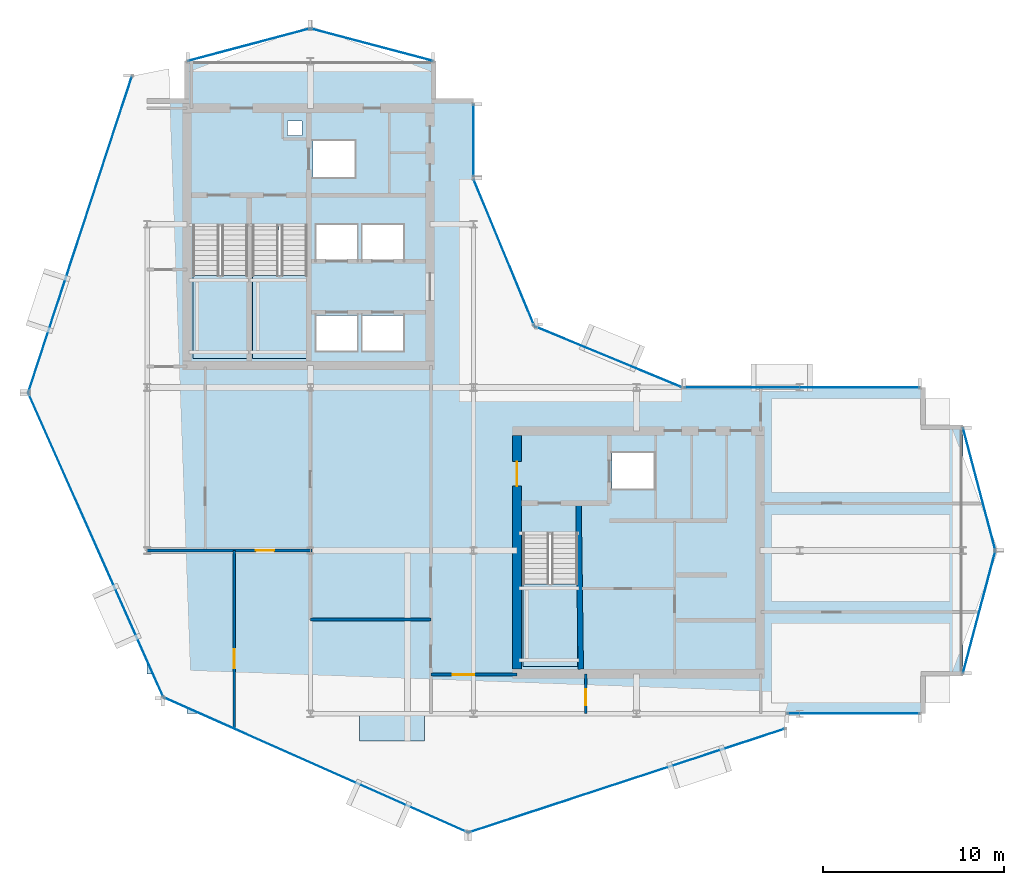
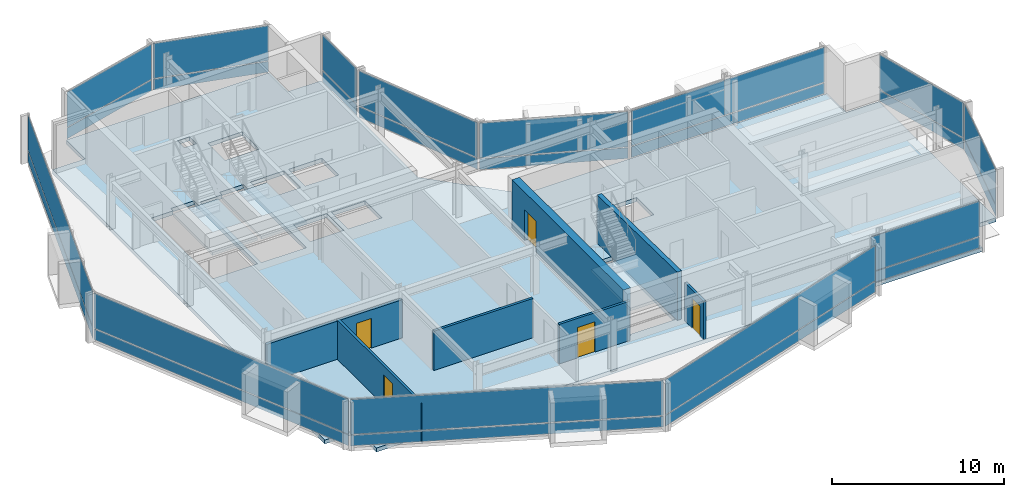
# One storey, part 19 of 28: 26 plates, 7 walls, 5 doors, 5 slabs, 5 openings, 16 elements without a shape of their own.
"""IFC4 building model written with IfcOpenShell, lengths in metres."""

from ifc_helpers import new_model, si_unit, direction, frame, frame_2d, origin, origin_2d, place, context, subcontext, project, spatial, polyline, rectangle, outline, extrude, material, layer, layer_set, type_object, element, fill, aggregate, save


model = new_model("IFC4")

# Units and contexts
model_context = context("Model", 3, precision=1e-05, world=origin(), true_north=direction((0.0, 1.0)))
body_context = subcontext(model_context, "Body", "Model", "MODEL_VIEW")
ifc_project = project(units=[si_unit("LENGTHUNIT", "METRE"), si_unit("AREAUNIT", "SQUARE_METRE"), si_unit("VOLUMEUNIT", "CUBIC_METRE"), si_unit("PLANEANGLEUNIT", "RADIAN"), si_unit("MASSUNIT", "GRAM", prefix="KILO")], contexts=[model_context])

# Site, building, storey
site_placement = place(None, origin())
site = spatial("IfcSite", under=ifc_project, at=site_placement, CompositionType="ELEMENT")
building_placement = place(site_placement, origin())
building = spatial("IfcBuilding", under=site, at=building_placement, Name="Solvaryn Broadcast Tower", CompositionType="ELEMENT")
storey_placement = place(building_placement, frame((0.0, 0.0, 206.199951171875)))
storey = spatial("IfcBuildingStorey", under=building, at=storey_placement, Name="L51", CompositionType="ELEMENT", Elevation=206.199951171875)

# Curtain wall, plates
ifc_material_1 = material(Name="Aluminium and Terracotta Unitised Curtain Wall", Category="masonry")
ifc_layer_1 = layer(ifc_material_1, 0.199951171875)
ifc_layer_set_1 = layer_set([ifc_layer_1], Name="CW-SYS2-LOWMID")
curtain_wall_type = type_object("IfcCurtainWallType", Name="CW-SYS2-LOWMID", PredefinedType="NOTDEFINED", material=ifc_layer_set_1)
curtain_wall_1_placement = place(storey_placement, origin())
curtain_wall_1 = element("IfcCurtainWall", 1, at=curtain_wall_1_placement, inside=storey, type_object=curtain_wall_type, Name="L51 Curtain Wall DR1", PredefinedType="NOTDEFINED")
ifc_material_2 = material(Name="Low-Iron Insulated Vision Glass", Category="glass")
ifc_layer_2 = layer(ifc_material_2, 0.035888671875)
ifc_layer_set_2 = layer_set([ifc_layer_2], Name="CW-PNL-VISION")
plate_type = type_object("IfcPlateType", Name="CW-PNL-VISION", PredefinedType="CURTAIN_PANEL", material=ifc_layer_set_2)
plate_1_placement = place(storey_placement, frame((5.298095703125, 35.444091796875, 0.06005859375), z_axis=(0.0, 0.0, 1.0), x_axis=(-0.311558717623, -0.950226902099, 0.0)))
plate_1 = element("IfcPlate", 2, at=plate_1_placement, type_object=plate_type, Name="CWS2 panel 1.1", PredefinedType="CURTAIN_PANEL", context=body_context, shape_type="SweptSolid", body=[
    extrude(rectangle(XDim=18.271484375, YDim=0.028076171875, at=origin_2d()), origin(), (0.0, 0.0, 1.0), 0.760009765625),
])
plate_2_placement = place(storey_placement, frame((5.298095703125, 35.444091796875, 0.880126953125), z_axis=(0.0, 0.0, 1.0), x_axis=(-0.311558717623, -0.950226902099, 0.0)))
plate_2 = element("IfcPlate", 3, at=plate_2_placement, type_object=plate_type, Name="CWS2 panel 1.2", PredefinedType="CURTAIN_PANEL", context=body_context, shape_type="SweptSolid", body=[
    extrude(rectangle(XDim=18.271484375, YDim=0.028076171875, at=origin_2d()), origin(), (0.0, 0.0, 1.0), 2.47998046875),
])
aggregate(curtain_wall_1, [plate_1, plate_2])

curtain_wall_2_placement = place(storey_placement, origin())
curtain_wall_2 = element("IfcCurtainWall", 4, at=curtain_wall_2_placement, inside=storey, type_object=curtain_wall_type, Name="L51 Curtain Wall DR2", PredefinedType="NOTDEFINED")
plate_3_placement = place(storey_placement, frame((6.16552734375, 18.302001953125, 0.06005859375), z_axis=(0.0, 0.0, 1.0), x_axis=(0.405901337237, -0.913916902365, 0.0)))
plate_3 = element("IfcPlate", 5, at=plate_3_placement, type_object=plate_type, Name="CWS2 panel 1.1", PredefinedType="CURTAIN_PANEL", context=body_context, shape_type="SweptSolid", body=[
    extrude(rectangle(XDim=18.271240234375, YDim=0.028076171875, at=origin_2d()), origin(), (0.0, 0.0, 1.0), 0.760009765625),
])
plate_4_placement = place(storey_placement, frame((6.16552734375, 18.302001953125, 0.880126953125), z_axis=(0.0, 0.0, 1.0), x_axis=(0.405901337237, -0.913916902365, 0.0)))
plate_4 = element("IfcPlate", 6, at=plate_4_placement, type_object=plate_type, Name="CWS2 panel 1.2", PredefinedType="CURTAIN_PANEL", context=body_context, shape_type="SweptSolid", body=[
    extrude(rectangle(XDim=18.271240234375, YDim=0.028076171875, at=origin_2d()), origin(), (0.0, 0.0, 1.0), 2.47998046875),
])
aggregate(curtain_wall_2, [plate_3, plate_4])

curtain_wall_3_placement = place(storey_placement, origin())
curtain_wall_3 = element("IfcCurtainWall", 7, at=curtain_wall_3_placement, inside=storey, type_object=curtain_wall_type, Name="L51 Curtain Wall DR3", PredefinedType="NOTDEFINED")
plate_5_placement = place(storey_placement, frame((18.302001953125, 6.16552734375, 0.06005859375), z_axis=(0.0, 0.0, 1.0), x_axis=(0.913916902365, -0.405901337237, 0.0)))
plate_5 = element("IfcPlate", 8, at=plate_5_placement, type_object=plate_type, Name="CWS2 panel 1.1", PredefinedType="CURTAIN_PANEL", context=body_context, shape_type="SweptSolid", body=[
    extrude(rectangle(XDim=18.271240234375, YDim=0.028076171875, at=origin_2d()), origin(), (0.0, 0.0, 1.0), 0.760009765625),
])
plate_6_placement = place(storey_placement, frame((18.302001953125, 6.16552734375, 0.880126953125), z_axis=(0.0, 0.0, 1.0), x_axis=(0.913916902365, -0.405901337237, 0.0)))
plate_6 = element("IfcPlate", 9, at=plate_6_placement, type_object=plate_type, Name="CWS2 panel 1.2", PredefinedType="CURTAIN_PANEL", context=body_context, shape_type="SweptSolid", body=[
    extrude(rectangle(XDim=18.271240234375, YDim=0.028076171875, at=origin_2d()), origin(), (0.0, 0.0, 1.0), 2.47998046875),
])
aggregate(curtain_wall_3, [plate_5, plate_6])

curtain_wall_4_placement = place(storey_placement, origin())
curtain_wall_4 = element("IfcCurtainWall", 10, at=curtain_wall_4_placement, inside=storey, type_object=curtain_wall_type, Name="L51 Curtain Wall DR4", PredefinedType="NOTDEFINED")
plate_7_placement = place(storey_placement, frame((35.444091796875, 5.298095703125, 0.06005859375), z_axis=(0.0, 0.0, 1.0), x_axis=(0.950226902099, 0.311558717623, 0.0)))
plate_7 = element("IfcPlate", 11, at=plate_7_placement, type_object=plate_type, Name="CWS2 panel 1.1", PredefinedType="CURTAIN_PANEL", context=body_context, shape_type="SweptSolid", body=[
    extrude(rectangle(XDim=18.271484375, YDim=0.028076171875, at=origin_2d()), origin(), (0.0, 0.0, 1.0), 0.760009765625),
])
plate_8_placement = place(storey_placement, frame((35.444091796875, 5.298095703125, 0.880126953125), z_axis=(0.0, 0.0, 1.0), x_axis=(0.950226902099, 0.311558717623, 0.0)))
plate_8 = element("IfcPlate", 12, at=plate_8_placement, type_object=plate_type, Name="CWS2 panel 1.2", PredefinedType="CURTAIN_PANEL", context=body_context, shape_type="SweptSolid", body=[
    extrude(rectangle(XDim=18.271484375, YDim=0.028076171875, at=origin_2d()), origin(), (0.0, 0.0, 1.0), 2.47998046875),
])
aggregate(curtain_wall_4, [plate_7, plate_8])

curtain_wall_5_placement = place(storey_placement, origin())
curtain_wall_5 = element("IfcCurtainWall", 13, at=curtain_wall_5_placement, inside=storey, type_object=curtain_wall_type, Name="L51 Curtain Wall IV", PredefinedType="NOTDEFINED")
plate_9_placement = place(storey_placement, frame((27.0, 40.625, 0.06005859375), z_axis=(0.0, 0.0, 1.0), x_axis=(0.0, -1.0, 0.0)))
plate_9 = element("IfcPlate", 14, at=plate_9_placement, type_object=plate_type, Name="CWS2 panel 1.1", PredefinedType="CURTAIN_PANEL", context=body_context, shape_type="SweptSolid", body=[
    extrude(rectangle(XDim=3.929931640625, YDim=0.028076171875, at=origin_2d()), origin(), (0.0, 0.0, 1.0), 0.760009765625),
])
plate_10_placement = place(storey_placement, frame((27.0, 40.625, 0.880126953125), z_axis=(0.0, 0.0, 1.0), x_axis=(0.0, -1.0, 0.0)))
plate_10 = element("IfcPlate", 15, at=plate_10_placement, type_object=plate_type, Name="CWS2 panel 1.2", PredefinedType="CURTAIN_PANEL", context=body_context, shape_type="SweptSolid", body=[
    extrude(rectangle(XDim=3.929931640625, YDim=0.028076171875, at=origin_2d()), origin(), (0.0, 0.0, 1.0), 2.47998046875),
])
aggregate(curtain_wall_5, [plate_9, plate_10])

curtain_wall_6_placement = place(storey_placement, origin())
curtain_wall_6 = element("IfcCurtainWall", 16, at=curtain_wall_6_placement, inside=storey, type_object=curtain_wall_type, Name="L51 Curtain Wall CN1", PredefinedType="NOTDEFINED")
plate_11_placement = place(storey_placement, frame((34.43408203125, 28.68408203125, 0.06005859375), z_axis=(0.0, 0.0, 1.0), x_axis=(-0.923894983957, 0.382646127145, 0.0)))
plate_11 = element("IfcPlate", 17, at=plate_11_placement, type_object=plate_type, Name="CWS2 panel 1.1", PredefinedType="CURTAIN_PANEL", context=body_context, shape_type="SweptSolid", body=[
    extrude(rectangle(XDim=8.681884765625, YDim=0.028076171875, at=origin_2d()), origin(), (0.0, 0.0, 1.0), 0.760009765625),
])
plate_12_placement = place(storey_placement, frame((34.43408203125, 28.68408203125, 0.880126953125), z_axis=(0.0, 0.0, 1.0), x_axis=(-0.923894983957, 0.382646127145, 0.0)))
plate_12 = element("IfcPlate", 18, at=plate_12_placement, type_object=plate_type, Name="CWS2 panel 1.2", PredefinedType="CURTAIN_PANEL", context=body_context, shape_type="SweptSolid", body=[
    extrude(rectangle(XDim=8.681884765625, YDim=0.028076171875, at=origin_2d()), origin(), (0.0, 0.0, 1.0), 2.47998046875),
])
aggregate(curtain_wall_6, [plate_11, plate_12])

curtain_wall_7_placement = place(storey_placement, origin())
curtain_wall_7 = element("IfcCurtainWall", 19, at=curtain_wall_7_placement, inside=storey, type_object=curtain_wall_type, Name="L51 Curtain Wall CN2", PredefinedType="NOTDEFINED")
plate_13_placement = place(storey_placement, frame((28.68408203125, 34.43408203125, 0.06005859375), z_axis=(0.0, 0.0, 1.0), x_axis=(-0.382646127145, 0.923894983957, 0.0)))
plate_13 = element("IfcPlate", 20, at=plate_13_placement, type_object=plate_type, Name="CWS2 panel 1.1", PredefinedType="CURTAIN_PANEL", context=body_context, shape_type="SweptSolid", body=[
    extrude(rectangle(XDim=8.681884765625, YDim=0.028076171875, at=origin_2d()), origin(), (0.0, 0.0, 1.0), 0.760009765625),
])
plate_14_placement = place(storey_placement, frame((28.68408203125, 34.43408203125, 0.880126953125), z_axis=(0.0, 0.0, 1.0), x_axis=(-0.382646127145, 0.923894983957, 0.0)))
plate_14 = element("IfcPlate", 21, at=plate_14_placement, type_object=plate_type, Name="CWS2 panel 1.2", PredefinedType="CURTAIN_PANEL", context=body_context, shape_type="SweptSolid", body=[
    extrude(rectangle(XDim=8.681884765625, YDim=0.028076171875, at=origin_2d()), origin(), (0.0, 0.0, 1.0), 2.47998046875),
])
aggregate(curtain_wall_7, [plate_13, plate_14])

curtain_wall_8_placement = place(storey_placement, origin())
curtain_wall_8 = element("IfcCurtainWall", 22, at=curtain_wall_8_placement, inside=storey, type_object=curtain_wall_type, Name="L51 Curtain Wall S2", PredefinedType="NOTDEFINED")
plate_15_placement = place(storey_placement, frame((47.966064453125, 9.0, 0.06005859375), z_axis=(0.0, 0.0, 1.0), x_axis=(1.0, 0.0, 0.0)))
plate_15 = element("IfcPlate", 23, at=plate_15_placement, type_object=plate_type, Name="CWS2 panel 1.1", PredefinedType="CURTAIN_PANEL", context=body_context, shape_type="SweptSolid", body=[
    extrude(rectangle(XDim=7.248046875, YDim=0.028076171875, at=origin_2d()), origin(), (0.0, 0.0, 1.0), 0.760009765625),
])
plate_16_placement = place(storey_placement, frame((47.966064453125, 9.0, 0.880126953125), z_axis=(0.0, 0.0, 1.0), x_axis=(1.0, 0.0, 0.0)))
plate_16 = element("IfcPlate", 24, at=plate_16_placement, type_object=plate_type, Name="CWS2 panel 1.2", PredefinedType="CURTAIN_PANEL", context=body_context, shape_type="SweptSolid", body=[
    extrude(rectangle(XDim=7.248046875, YDim=0.028076171875, at=origin_2d()), origin(), (0.0, 0.0, 1.0), 2.47998046875),
])
aggregate(curtain_wall_8, [plate_15, plate_16])

curtain_wall_9_placement = place(storey_placement, origin())
curtain_wall_9 = element("IfcCurtainWall", 25, at=curtain_wall_9_placement, inside=storey, type_object=curtain_wall_type, Name="L51 Curtain Wall NT1", PredefinedType="NOTDEFINED")
plate_17_placement = place(storey_placement, frame((21.39990234375, 45.89990234375, 0.06005859375), z_axis=(0.0, 0.0, 1.0), x_axis=(-0.966705227863, 0.25589256031, 0.0)))
plate_17 = element("IfcPlate", 26, at=plate_17_placement, type_object=plate_type, Name="CWS2 panel 1.1", PredefinedType="CURTAIN_PANEL", context=body_context, shape_type="SweptSolid", body=[
    extrude(rectangle(XDim=6.914306640625, YDim=0.028076171875, at=origin_2d()), origin(), (0.0, 0.0, 1.0), 0.760009765625),
])
plate_18_placement = place(storey_placement, frame((21.39990234375, 45.89990234375, 0.880126953125), z_axis=(0.0, 0.0, 1.0), x_axis=(-0.966705227863, 0.25589256031, 0.0)))
plate_18 = element("IfcPlate", 27, at=plate_18_placement, type_object=plate_type, Name="CWS2 panel 1.2", PredefinedType="CURTAIN_PANEL", context=body_context, shape_type="SweptSolid", body=[
    extrude(rectangle(XDim=6.914306640625, YDim=0.028076171875, at=origin_2d()), origin(), (0.0, 0.0, 1.0), 2.47998046875),
])
aggregate(curtain_wall_9, [plate_17, plate_18])

curtain_wall_10_placement = place(storey_placement, origin())
curtain_wall_10 = element("IfcCurtainWall", 28, at=curtain_wall_10_placement, inside=storey, type_object=curtain_wall_type, Name="L51 Curtain Wall NT2", PredefinedType="NOTDEFINED")
plate_19_placement = place(storey_placement, frame((14.60009765625, 45.89990234375, 0.06005859375), z_axis=(0.0, 0.0, 1.0), x_axis=(-0.966705227863, -0.25589256031, 0.0)))
plate_19 = element("IfcPlate", 29, at=plate_19_placement, type_object=plate_type, Name="CWS2 panel 1.1", PredefinedType="CURTAIN_PANEL", context=body_context, shape_type="SweptSolid", body=[
    extrude(rectangle(XDim=6.914306640625, YDim=0.028076171875, at=origin_2d()), origin(), (0.0, 0.0, 1.0), 0.760009765625),
])
plate_20_placement = place(storey_placement, frame((14.60009765625, 45.89990234375, 0.880126953125), z_axis=(0.0, 0.0, 1.0), x_axis=(-0.966705227863, -0.25589256031, 0.0)))
plate_20 = element("IfcPlate", 30, at=plate_20_placement, type_object=plate_type, Name="CWS2 panel 1.2", PredefinedType="CURTAIN_PANEL", context=body_context, shape_type="SweptSolid", body=[
    extrude(rectangle(XDim=6.914306640625, YDim=0.028076171875, at=origin_2d()), origin(), (0.0, 0.0, 1.0), 2.47998046875),
])
aggregate(curtain_wall_10, [plate_19, plate_20])

curtain_wall_11_placement = place(storey_placement, origin())
curtain_wall_11 = element("IfcCurtainWall", 31, at=curtain_wall_11_placement, inside=storey, type_object=curtain_wall_type, Name="L51 Curtain Wall ET1", PredefinedType="NOTDEFINED")
plate_21_placement = place(storey_placement, frame((54.89990234375, 21.39990234375, 0.06005859375), z_axis=(0.0, 0.0, 1.0), x_axis=(0.25589256031, -0.966705227863, 0.0)))
plate_21 = element("IfcPlate", 32, at=plate_21_placement, type_object=plate_type, Name="CWS2 panel 1.1", PredefinedType="CURTAIN_PANEL", context=body_context, shape_type="SweptSolid", body=[
    extrude(rectangle(XDim=6.914306640625, YDim=0.028076171875, at=origin_2d()), origin(), (0.0, 0.0, 1.0), 0.760009765625),
])
plate_22_placement = place(storey_placement, frame((54.89990234375, 21.39990234375, 0.880126953125), z_axis=(0.0, 0.0, 1.0), x_axis=(0.25589256031, -0.966705227863, 0.0)))
plate_22 = element("IfcPlate", 33, at=plate_22_placement, type_object=plate_type, Name="CWS2 panel 1.2", PredefinedType="CURTAIN_PANEL", context=body_context, shape_type="SweptSolid", body=[
    extrude(rectangle(XDim=6.914306640625, YDim=0.028076171875, at=origin_2d()), origin(), (0.0, 0.0, 1.0), 2.47998046875),
])
aggregate(curtain_wall_11, [plate_21, plate_22])

curtain_wall_12_placement = place(storey_placement, origin())
curtain_wall_12 = element("IfcCurtainWall", 34, at=curtain_wall_12_placement, inside=storey, type_object=curtain_wall_type, Name="L51 Curtain Wall ET2", PredefinedType="NOTDEFINED")
plate_23_placement = place(storey_placement, frame((54.89990234375, 14.60009765625, 0.06005859375), z_axis=(0.0, 0.0, 1.0), x_axis=(-0.25589256031, -0.966705227863, 0.0)))
plate_23 = element("IfcPlate", 35, at=plate_23_placement, type_object=plate_type, Name="CWS2 panel 1.1", PredefinedType="CURTAIN_PANEL", context=body_context, shape_type="SweptSolid", body=[
    extrude(rectangle(XDim=6.914306640625, YDim=0.028076171875, at=origin_2d()), origin(), (0.0, 0.0, 1.0), 0.760009765625),
])
plate_24_placement = place(storey_placement, frame((54.89990234375, 14.60009765625, 0.880126953125), z_axis=(0.0, 0.0, 1.0), x_axis=(-0.25589256031, -0.966705227863, 0.0)))
plate_24 = element("IfcPlate", 36, at=plate_24_placement, type_object=plate_type, Name="CWS2 panel 1.2", PredefinedType="CURTAIN_PANEL", context=body_context, shape_type="SweptSolid", body=[
    extrude(rectangle(XDim=6.914306640625, YDim=0.028076171875, at=origin_2d()), origin(), (0.0, 0.0, 1.0), 2.47998046875),
])
aggregate(curtain_wall_12, [plate_23, plate_24])

curtain_wall_13_placement = place(storey_placement, origin())
curtain_wall_13 = element("IfcCurtainWall", 37, at=curtain_wall_13_placement, inside=storey, type_object=curtain_wall_type, Name="L51 Curtain Wall IH", PredefinedType="NOTDEFINED")
plate_25_placement = place(storey_placement, frame((45.125, 27.0, 0.06005859375), z_axis=(0.0, 0.0, 1.0), x_axis=(1.0, 0.0, 0.0)))
plate_25 = element("IfcPlate", 38, at=plate_25_placement, type_object=plate_type, Name="CWS2 panel 1.1", PredefinedType="CURTAIN_PANEL", context=body_context, shape_type="SweptSolid", body=[
    extrude(rectangle(XDim=12.929931640625, YDim=0.028076171875, at=origin_2d()), origin(), (0.0, 0.0, 1.0), 0.760009765625),
])
plate_26_placement = place(storey_placement, frame((45.125, 27.0, 0.880126953125), z_axis=(0.0, 0.0, 1.0), x_axis=(1.0, 0.0, 0.0)))
plate_26 = element("IfcPlate", 39, at=plate_26_placement, type_object=plate_type, Name="CWS2 panel 1.2", PredefinedType="CURTAIN_PANEL", context=body_context, shape_type="SweptSolid", body=[
    extrude(rectangle(XDim=12.929931640625, YDim=0.028076171875, at=origin_2d()), origin(), (0.0, 0.0, 1.0), 2.47998046875),
])
aggregate(curtain_wall_13, [plate_25, plate_26])

# Slab
ifc_material_3 = material(Name="Concrete f'c 60 MPa", Category="concrete")
ifc_layer_3 = layer(ifc_material_3, 0.2099609375)
ifc_layer_set_3 = layer_set([ifc_layer_3], Name="SL-BAYBOX-210")
slab_type_1 = type_object("IfcSlabType", Name="SL-BAYBOX-210", PredefinedType="FLOOR", material=ifc_layer_set_3)
slab_1_placement = place(storey_placement, frame((0.0, 0.0, -0.2099609375)))
element("IfcSlab", 40, at=slab_1_placement, inside=storey, type_object=slab_type_1, Name="L51 Projecting Bay-Box Slab 1", PredefinedType="FLOOR", context=body_context, shape_type="SweptSolid", body=[
    extrude(outline(polyline([(20.699951171875, 7.5), (24.300048828125, 7.5), (24.300048828125, 9.0), (20.699951171875, 9.0), (20.699951171875, 7.5)])), origin(), (0.0, 0.0, 1.0), 0.2099609375),
])

# Stair, slab
ifc_material_4 = material(Name="Concrete f'c 60 MPa", Category="concrete")
stair_type = type_object("IfcStairType", Name="ST-CORE", PredefinedType="HALF_TURN_STAIR", material=ifc_material_4)
stair_1_placement = place(storey_placement, origin())
stair_1 = element("IfcStair", 41, at=stair_1_placement, inside=storey, type_object=stair_type, Name="L51 ST1", PredefinedType="HALF_TURN_STAIR")
ifc_material_5 = material(Name="Concrete f'c 60 MPa", Category="concrete")
ifc_layer_4 = layer(ifc_material_5, 0.199951171875)
ifc_layer_set_4 = layer_set([ifc_layer_4], Name="SL-LANDING-200")
slab_type_2 = type_object("IfcSlabType", Name="SL-LANDING-200", PredefinedType="LANDING", material=ifc_layer_set_4)
slab_2_placement = place(storey_placement, frame((0.0, 0.0, 1.650146484375)))
slab_2 = element("IfcSlab", 42, at=slab_2_placement, type_object=slab_type_2, Name="ST1 landing 1", PredefinedType="LANDING", context=body_context, shape_type="SweptSolid", body=[
    extrude(outline(polyline([(11.52001953125, 33.159912109375), (11.52001953125, 28.60009765625), (14.550048828125, 28.60009765625), (14.550048828125, 33.159912109375), (11.52001953125, 33.159912109375)])), origin(), (0.0, 0.0, 1.0), 0.199951171875),
])
aggregate(stair_1, [slab_2])

stair_2_placement = place(storey_placement, origin())
stair_2 = element("IfcStair", 43, at=stair_2_placement, inside=storey, type_object=stair_type, Name="L51 ST2", PredefinedType="HALF_TURN_STAIR")
slab_3_placement = place(storey_placement, frame((0.0, 0.0, 1.650146484375)))
slab_3 = element("IfcSlab", 44, at=slab_3_placement, type_object=slab_type_2, Name="ST2 landing 1", PredefinedType="LANDING", context=body_context, shape_type="SweptSolid", body=[
    extrude(outline(polyline([(14.800048828125, 33.159912109375), (14.800048828125, 28.60009765625), (17.830078125, 28.60009765625), (17.830078125, 33.159912109375), (14.800048828125, 33.159912109375)])), origin(), (0.0, 0.0, 1.0), 0.199951171875),
])
aggregate(stair_2, [slab_3])

stair_3_placement = place(storey_placement, origin())
stair_3 = element("IfcStair", 45, at=stair_3_placement, inside=storey, type_object=stair_type, Name="L51 ST3", PredefinedType="HALF_TURN_STAIR")
slab_4_placement = place(storey_placement, frame((0.0, 0.0, 1.650146484375)))
slab_4 = element("IfcSlab", 46, at=slab_4_placement, type_object=slab_type_2, Name="ST3 landing 1", PredefinedType="LANDING", context=body_context, shape_type="SweptSolid", body=[
    extrude(outline(polyline([(29.719970703125, 16.159912109375), (29.719970703125, 11.60009765625), (32.75, 11.60009765625), (32.75, 16.159912109375), (29.719970703125, 16.159912109375)])), origin(), (0.0, 0.0, 1.0), 0.199951171875),
])
aggregate(stair_3, [slab_4])

# Slab
ifc_material_6 = material(Name="Concrete f'c 60 MPa", Category="concrete")
ifc_layer_5 = layer(ifc_material_6, 0.280029296875)
ifc_layer_set_5 = layer_set([ifc_layer_5], Name="SL-TWR-280")
slab_type_3 = type_object("IfcSlabType", Name="SL-TWR-280", PredefinedType="FLOOR", material=ifc_layer_set_5)
slab_5_placement = place(storey_placement, frame((0.0, 0.0, -0.280029296875)))
element("IfcSlab", 47, at=slab_5_placement, inside=storey, type_object=slab_type_3, Name="L51 Structural Floor Slab", PredefinedType="FLOOR", context=body_context, shape_type="SweptSolid", body=[
    extrude(outline(polyline([(11.199951171875, 9.0), (51.800048828125, 9.0), (51.800048828125, 11.199951171875), (54.0, 11.199951171875), (54.0, 24.800048828125), (51.800048828125, 24.800048828125), (51.800048828125, 27.0), (31.5, 27.0), (27.0, 31.5), (27.0, 42.800048828125), (24.800048828125, 42.800048828125), (24.800048828125, 45.0), (11.199951171875, 45.0), (11.199951171875, 42.800048828125), (9.0, 42.800048828125), (9.0, 11.199951171875), (11.199951171875, 11.199951171875), (11.199951171875, 9.0)]), holes=[polyline([(11.52001953125, 28.60009765625), (14.550048828125, 28.60009765625), (14.550048828125, 35.9599609375), (12.97998046875, 35.9599609375), (12.97998046875, 35.679931640625), (11.52001953125, 35.679931640625), (11.52001953125, 28.60009765625)]), polyline([(14.800048828125, 28.60009765625), (17.830078125, 28.60009765625), (17.830078125, 35.9599609375), (16.260009765625, 35.9599609375), (16.260009765625, 35.679931640625), (14.800048828125, 35.679931640625), (14.800048828125, 28.60009765625)]), polyline([(29.719970703125, 11.60009765625), (32.75, 11.60009765625), (32.75, 18.9599609375), (31.179931640625, 18.9599609375), (31.179931640625, 18.679931640625), (29.719970703125, 18.679931640625), (29.719970703125, 11.60009765625)]), polyline([(18.14990234375, 38.60009765625), (20.449951171875, 38.60009765625), (20.449951171875, 40.60009765625), (18.14990234375, 40.60009765625), (18.14990234375, 38.60009765625)]), polyline([(18.324951171875, 29.02490234375), (20.574951171875, 29.02490234375), (20.574951171875, 30.97509765625), (18.324951171875, 30.97509765625), (18.324951171875, 29.02490234375)]), polyline([(20.875, 29.02490234375), (23.125, 29.02490234375), (23.125, 30.97509765625), (20.875, 30.97509765625), (20.875, 29.02490234375)]), polyline([(18.324951171875, 34.02490234375), (20.574951171875, 34.02490234375), (20.574951171875, 35.97509765625), (18.324951171875, 35.97509765625), (18.324951171875, 34.02490234375)]), polyline([(20.875, 34.02490234375), (23.125, 34.02490234375), (23.125, 35.97509765625), (20.875, 35.97509765625), (20.875, 34.02490234375)]), polyline([(34.64990234375, 21.39990234375), (36.949951171875, 21.39990234375), (36.949951171875, 23.39990234375), (34.64990234375, 23.39990234375), (34.64990234375, 21.39990234375)]), polyline([(16.75, 40.89990234375), (17.550048828125, 40.89990234375), (17.550048828125, 41.699951171875), (16.75, 41.699951171875), (16.75, 40.89990234375)])]), origin(), (0.0, 0.0, 1.0), 0.280029296875),
])

# Wall, opening, door
ifc_material_7 = material(Name="Concrete f'c 70 MPa", Category="concrete")
ifc_layer_6 = layer(ifc_material_7, 0.5)
ifc_layer_set_6 = layer_set([ifc_layer_6], Name="CW-SHEAR-500")
wall_type_1 = type_object("IfcWallType", Name="CW-SHEAR-500", PredefinedType="SHEAR", material=ifc_layer_set_6)
wall_1_placement = place(storey_placement, frame((29.39990234375, 24.35009765625, 0.0), z_axis=(0.0, 0.0, 1.0), x_axis=(0.0, -1.0, 0.0)))
wall_1 = element("IfcWall", 48, at=wall_1_placement, inside=storey, type_object=wall_type_1, Name="L51 East Core West Shear Wall", PredefinedType="SHEAR", context=body_context, shape_type="SweptSolid", body=[
    extrude(rectangle(XDim=12.900146484375, YDim=0.5, at=frame_2d((6.4501953125, 0.0))), origin(), (0.0, 0.0, 1.0), 3.420166015625),
])
opening_1_placement = place(wall_1_placement, frame((1.449951171875, 0.0, 0.0)))
opening_1 = element("IfcOpeningElement", 49, at=opening_1_placement, cuts=wall_1, Name="Opening FD90B", PredefinedType="OPENING", context=body_context, shape_type="SweptSolid", body=[
    extrude(rectangle(XDim=1.35009765625, YDim=2.14990234375, at=frame_2d((0.675048828125, 1.074951171875))), frame((0.0, 0.260009765625, 0.0), z_axis=(0.0, -1.0, 0.0), x_axis=(1.0, 0.0, 0.0)), (0.0, 0.0, 1.0), 0.52001953125),
])
ifc_material_8 = material(Name="Flush Acoustic Steel and Timber Door Assembly", Category="steel")
door_type_1 = type_object("IfcDoorType", Name="FD90-LOBBY-1350X2150", OperationType="NOTDEFINED", PredefinedType="DOOR", material=ifc_material_8)
door_1_placement = place(opening_1_placement, origin())
door_1 = element("IfcDoor", 50, at=door_1_placement, inside=storey, type_object=door_type_1, Name="L51 East FSAE Lobby Door", OperationType="SINGLE_SWING_RIGHT", OverallHeight=2.14990234375, OverallWidth=1.35009765625, PredefinedType="DOOR", context=body_context, shape_type="SweptSolid", body=[
    extrude(rectangle(XDim=1.35009765625, YDim=2.14990234375, at=frame_2d((0.675048828125, 1.074951171875))), frame((0.0, 0.02490234375, 0.0), z_axis=(0.0, -1.0, 0.0), x_axis=(1.0, 0.0, 0.0)), (0.0, 0.0, 1.0), 0.050048828125),
])
fill(opening_1, door_1)

ifc_material_9 = material(Name="Metal-Stud Service Core Partition")
ifc_layer_7 = layer(ifc_material_9, 0.14990234375)
ifc_layer_set_7 = layer_set([ifc_layer_7], Name="IW-PART-150")
wall_type_2 = type_object("IfcWallType", Name="IW-PART-150", PredefinedType="PARTITIONING", material=ifc_layer_set_7)
wall_2_placement = place(storey_placement, frame((33.199951171875, 9.0, 0.0), z_axis=(0.0, 0.0, 1.0), x_axis=(0.0, 1.0, 0.0)))
wall_2 = element("IfcWall", 51, at=wall_2_placement, inside=storey, type_object=wall_type_2, Name="L51 Interior Partition IW-L51-SC-V", PredefinedType="PARTITIONING", context=body_context, shape_type="SweptSolid", body=[
    extrude(rectangle(XDim=2.199951171875, YDim=0.14990234375, at=frame_2d((1.10009765625, 0.0))), origin(), (0.0, 0.0, 1.0), 2.70703125),
])
opening_2_placement = place(wall_2_placement, frame((0.449951171875, 0.0, 0.0)))
opening_2 = element("IfcOpeningElement", 52, at=opening_2_placement, cuts=wall_2, Name="Opening FD60C", PredefinedType="OPENING", context=body_context, shape_type="SweptSolid", body=[
    extrude(rectangle(XDim=0.89990234375, YDim=2.10009765625, at=frame_2d((0.449951171875, 1.050048828125))), frame((0.0, 0.0849609375, 0.0), z_axis=(0.0, -1.0, 0.0), x_axis=(1.0, 0.0, 0.0)), (0.0, 0.0, 1.0), 0.169921875),
])
ifc_material_10 = material(Name="Flush Acoustic Steel and Timber Door Assembly", Category="steel")
door_type_2 = type_object("IfcDoorType", Name="FD60-SERV-900X2100", OperationType="NOTDEFINED", PredefinedType="DOOR", material=ifc_material_10)
door_2_placement = place(opening_2_placement, origin())
door_2 = element("IfcDoor", 53, at=door_2_placement, inside=storey, type_object=door_type_2, Name="L51 Door DR-L51-SC1", OperationType="SINGLE_SWING_LEFT", OverallHeight=2.10009765625, OverallWidth=0.89990234375, PredefinedType="DOOR", context=body_context, shape_type="SweptSolid", body=[
    extrude(rectangle(XDim=0.89990234375, YDim=2.10009765625, at=frame_2d((0.449951171875, 1.050048828125))), frame((0.0, 0.02490234375, 0.0), z_axis=(0.0, -1.0, 0.0), x_axis=(1.0, 0.0, 0.0)), (0.0, 0.0, 1.0), 0.050048828125),
])
fill(opening_2, door_2)

# Wall
ifc_material_11 = material(Name="Metal-Stud Gypsum Office Partition")
ifc_layer_8 = layer(ifc_material_11, 0.159912109375)
ifc_layer_set_8 = layer_set([ifc_layer_8], Name="IW-PART-160")
wall_type_3 = type_object("IfcWallType", Name="IW-PART-160", PredefinedType="PARTITIONING", material=ifc_layer_set_8)
wall_3_placement = place(storey_placement, frame((18.0, 14.199951171875, 0.0), z_axis=(0.0, 0.0, 1.0), x_axis=(1.0, 0.0, 0.0)))
element("IfcWall", 54, at=wall_3_placement, inside=storey, type_object=wall_type_3, Name="L51 Interior Partition IW-L51-SW-RH", PredefinedType="PARTITIONING", context=body_context, shape_type="SweptSolid", body=[
    extrude(rectangle(XDim=6.64990234375, YDim=0.159912109375, at=frame_2d((3.324951171875, 0.0))), origin(), (0.0, 0.0, 1.0), 2.7890625),
])

# Wall, opening, door
wall_4_placement = place(storey_placement, frame((13.800048828125, 8.1650390625, 0.0), z_axis=(0.0, 0.0, 1.0), x_axis=(0.0, 1.0, 0.0)))
wall_4 = element("IfcWall", 55, at=wall_4_placement, inside=storey, type_object=wall_type_3, Name="L51 Interior Partition IW-L51-SW-SWV", PredefinedType="PARTITIONING", context=body_context, shape_type="SweptSolid", body=[
    extrude(rectangle(XDim=9.8349609375, YDim=0.159912109375, at=frame_2d((4.91748046875, 0.0))), origin(), (0.0, 0.0, 1.0), 2.7890625),
])
opening_3_placement = place(wall_4_placement, frame((3.3349609375, 0.0, 0.0)))
opening_3 = element("IfcOpeningElement", 56, at=opening_3_placement, cuts=wall_4, Name="Opening ID03", PredefinedType="OPENING", context=body_context, shape_type="SweptSolid", body=[
    extrude(rectangle(XDim=1.050048828125, YDim=2.14990234375, at=frame_2d((0.52490234375, 1.074951171875))), frame((0.0, 0.090087890625, 0.0), z_axis=(0.0, -1.0, 0.0), x_axis=(1.0, 0.0, 0.0)), (0.0, 0.0, 1.0), 0.179931640625),
])
ifc_material_12 = material(Name="Flush Acoustic Steel and Timber Door Assembly", Category="steel")
door_type_3 = type_object("IfcDoorType", Name="ID-03-1050X2150", OperationType="NOTDEFINED", PredefinedType="DOOR", material=ifc_material_12)
door_3_placement = place(opening_3_placement, origin())
door_3 = element("IfcDoor", 57, at=door_3_placement, inside=storey, type_object=door_type_3, Name="L51 Door DR-L51-SWL-SW", OperationType="SINGLE_SWING_LEFT", OverallHeight=2.14990234375, OverallWidth=1.050048828125, PredefinedType="DOOR", context=body_context, shape_type="SweptSolid", body=[
    extrude(rectangle(XDim=1.050048828125, YDim=2.14990234375, at=frame_2d((0.52490234375, 1.074951171875))), frame((0.0, 0.02490234375, 0.0), z_axis=(0.0, -1.0, 0.0), x_axis=(1.0, 0.0, 0.0)), (0.0, 0.0, 1.0), 0.050048828125),
])
fill(opening_3, door_3)

wall_5_placement = place(storey_placement, frame((24.64990234375, 11.14990234375, 0.0), z_axis=(0.0, 0.0, 1.0), x_axis=(1.0, 0.0, 0.0)))
wall_5 = element("IfcWall", 58, at=wall_5_placement, inside=storey, type_object=wall_type_3, Name="L51 Interior Partition IW-L51-SC-N", PredefinedType="PARTITIONING", context=body_context, shape_type="SweptSolid", body=[
    extrude(rectangle(XDim=4.75, YDim=0.159912109375, at=frame_2d((2.375, 0.0))), origin(), (0.0, 0.0, 1.0), 2.7919921875),
])
opening_4_placement = place(wall_5_placement, frame((1.199951171875, 0.0, 0.0)))
opening_4 = element("IfcOpeningElement", 59, at=opening_4_placement, cuts=wall_5, Name="Opening ID04", PredefinedType="OPENING", context=body_context, shape_type="SweptSolid", body=[
    extrude(rectangle(XDim=1.199951171875, YDim=2.14990234375, at=frame_2d((0.60009765625, 1.074951171875))), frame((0.0, 0.090087890625, 0.0), z_axis=(0.0, -1.0, 0.0), x_axis=(1.0, 0.0, 0.0)), (0.0, 0.0, 1.0), 0.179931640625),
])
ifc_material_13 = material(Name="Flush Acoustic Steel and Timber Door Assembly", Category="steel")
door_type_4 = type_object("IfcDoorType", Name="ID-04-1200X2150", OperationType="NOTDEFINED", PredefinedType="DOOR", material=ifc_material_13)
door_4_placement = place(opening_4_placement, origin())
door_4 = element("IfcDoor", 60, at=door_4_placement, inside=storey, type_object=door_type_4, Name="L51 Door DR-L51-SC0", OperationType="SINGLE_SWING_RIGHT", OverallHeight=2.14990234375, OverallWidth=1.199951171875, PredefinedType="DOOR", context=body_context, shape_type="SweptSolid", body=[
    extrude(rectangle(XDim=1.199951171875, YDim=2.14990234375, at=frame_2d((0.60009765625, 1.074951171875))), frame((0.0, 0.02490234375, 0.0), z_axis=(0.0, -1.0, 0.0), x_axis=(1.0, 0.0, 0.0)), (0.0, 0.0, 1.0), 0.050048828125),
])
fill(opening_4, door_4)

ifc_material_14 = material(Name="Acoustic Metal-Stud Gypsum Partition")
ifc_layer_9 = layer(ifc_material_14, 0.179931640625)
ifc_layer_set_9 = layer_set([ifc_layer_9], Name="IW-PART-180")
wall_type_4 = type_object("IfcWallType", Name="IW-PART-180", PredefinedType="PARTITIONING", material=ifc_layer_set_9)
wall_6_placement = place(storey_placement, frame((9.0, 18.0, 0.0), z_axis=(0.0, 0.0, 1.0), x_axis=(1.0, 0.0, 0.0)))
wall_6 = element("IfcWall", 61, at=wall_6_placement, inside=storey, type_object=wall_type_4, Name="L51 Interior Partition IW-L51-SW-LH", PredefinedType="PARTITIONING", context=body_context, shape_type="SweptSolid", body=[
    extrude(rectangle(XDim=9.080078125, YDim=0.179931640625, at=frame_2d((4.5400390625, 0.0))), origin(), (0.0, 0.0, 1.0), 2.70703125),
])
opening_5_placement = place(wall_6_placement, frame((6.0, 0.0, 0.0)))
opening_5 = element("IfcOpeningElement", 62, at=opening_5_placement, cuts=wall_6, Name="Opening ID02", PredefinedType="OPENING", context=body_context, shape_type="SweptSolid", body=[
    extrude(rectangle(XDim=1.0, YDim=2.10009765625, at=frame_2d((0.5, 1.050048828125))), frame((0.0, 0.099853515625, 0.0), z_axis=(0.0, -1.0, 0.0), x_axis=(1.0, 0.0, 0.0)), (0.0, 0.0, 1.0), 0.199951171875),
])
ifc_material_15 = material(Name="Flush Acoustic Steel and Timber Door Assembly", Category="steel")
door_type_5 = type_object("IfcDoorType", Name="ID-02-1000X2100", OperationType="NOTDEFINED", PredefinedType="DOOR", material=ifc_material_15)
door_5_placement = place(opening_5_placement, origin())
door_5 = element("IfcDoor", 63, at=door_5_placement, inside=storey, type_object=door_type_5, Name="L51 Door DR-L51-SWL-LH", OperationType="SINGLE_SWING_RIGHT", OverallHeight=2.10009765625, OverallWidth=1.0, PredefinedType="DOOR", context=body_context, shape_type="SweptSolid", body=[
    extrude(rectangle(XDim=1.0, YDim=2.10009765625, at=frame_2d((0.5, 1.050048828125))), frame((0.0, 0.02490234375, 0.0), z_axis=(0.0, -1.0, 0.0), x_axis=(1.0, 0.0, 0.0)), (0.0, 0.0, 1.0), 0.050048828125),
])
fill(opening_5, door_5)

# Wall
ifc_material_16 = material(Name="Concrete f'c 70 MPa", Category="concrete")
ifc_layer_10 = layer(ifc_material_16, 0.300048828125)
ifc_layer_set_10 = layer_set([ifc_layer_10], Name="SW-SHAFT-300")
wall_type_5 = type_object("IfcWallType", Name="SW-SHAFT-300", PredefinedType="SHEAR", material=ifc_layer_set_10)
wall_7_placement = place(storey_placement, frame((32.919921875, 11.449951171875, 0.0), z_axis=(0.0, 0.0, 1.0), x_axis=(-0.013171578211, 0.999913251001, 0.0)))
element("IfcWall", 64, at=wall_7_placement, inside=storey, type_object=wall_type_5, Name="L51 Stair 3 East Shear Wall", PredefinedType="SHEAR", context=body_context, shape_type="SweptSolid", body=[
    extrude(rectangle(XDim=9.100830078125, YDim=0.300048828125, at=frame_2d((4.55029296875, 0.0))), origin(), (0.0, 0.0, 1.0), 3.420166015625),
])

save(model, "model.ifc")
